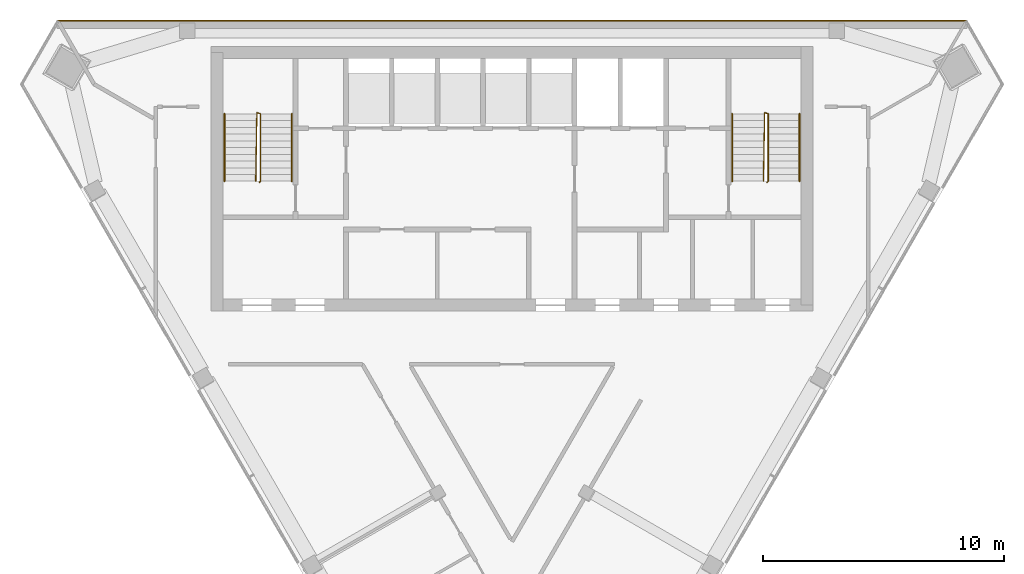
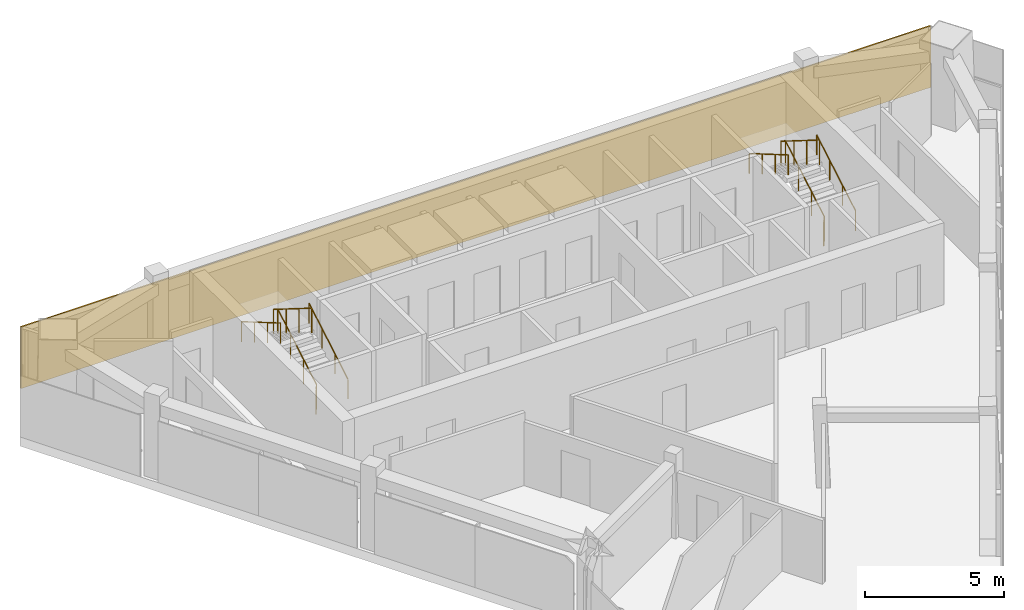
# One storey, part 8 of 9: 6 railings, 1 covering.
"""IFC4 building model written with IfcOpenShell, lengths in metres."""

from ifc_helpers import new_model, si_unit, direction, frame, frame_2d, origin, origin_2d, place, context, subcontext, project, spatial, rectangle, circle, extrude, material, layer, layer_set, type_object, element, save


model = new_model("IFC4")

# Units and contexts
model_context = context("Model", 3, precision=1e-05, world=origin(), true_north=direction((0.0, 1.0)))
body_context = subcontext(model_context, "Body", "Model", "MODEL_VIEW")
ifc_project = project(units=[si_unit("LENGTHUNIT", "METRE"), si_unit("AREAUNIT", "SQUARE_METRE"), si_unit("VOLUMEUNIT", "CUBIC_METRE"), si_unit("PLANEANGLEUNIT", "RADIAN"), si_unit("MASSUNIT", "GRAM", prefix="KILO")], contexts=[model_context])

# Site, building, storey
site_placement = place(None, origin())
site = spatial("IfcSite", under=ifc_project, at=site_placement, CompositionType="ELEMENT")
building_placement = place(site_placement, origin())
building = spatial("IfcBuilding", under=site, at=building_placement, Name="Altiplano Prism Tower", CompositionType="ELEMENT")
storey_placement = place(building_placement, frame((0.0, 0.0, 350.800048828125)))
storey = spatial("IfcBuildingStorey", under=building, at=storey_placement, Name="L91", CompositionType="ELEMENT", Elevation=350.800048828125)

# Railings
ifc_material_1 = material(Name="Steel S355", Category="steel")
railing_type_1 = type_object("IfcRailingType", Name="Stair guard 1100", PredefinedType="GUARDRAIL", material=ifc_material_1)
railing_1_placement = place(storey_placement, frame((74.5, 98.25, 0.0)))
element("IfcRailing", 1, at=railing_1_placement, inside=storey, type_object=railing_type_1, Name="L91 ST1 stair guard 1", PredefinedType="GUARDRAIL", context=body_context, shape_type="SweptSolid", body=[
    extrude(circle(Radius=0.02392578125, at=origin_2d()), frame((0.0, 0.0, 1.076171875), z_axis=(0.280808744504, 0.280808744504, 0.917765164963), x_axis=(-0.707106781187, 0.707106781187, 0.0)), (0.0, 0.0, 1.0), 0.17822265625),
    extrude(circle(Radius=0.02392578125, at=origin_2d()), frame((0.050048828125, 0.050048828125, 1.23974609375), z_axis=(0.0, 0.863360870873, 0.504586966384), x_axis=(-1.0, 0.0, 0.0)), (0.0, 0.0, 1.0), 3.2431640625),
    extrude(circle(Radius=0.02392578125, at=origin_2d()), frame((0.050048828125, 2.85009765625, 2.8759765625), z_axis=(-0.949145278916, 0.314838433982, 0.0), x_axis=(-0.314838433982, -0.949145278916, 0.0)), (0.0, 0.0, 1.0), 0.158203125),
    extrude(circle(Radius=0.02392578125, at=origin_2d()), frame((-0.10009765625, 2.89990234375, 2.8759765625), z_axis=(-0.014774583964, -0.845410385345, 0.533912906773), x_axis=(0.999847325713, -0.01747355902, 0.0)), (0.0, 0.0, 1.0), 3.370849609375),
    extrude(circle(Radius=0.02099609375, at=origin_2d()), origin(), (0.0, 0.0, 1.0), 1.052001953125),
    extrude(circle(Radius=0.02099609375, at=origin_2d()), frame((0.050048828125, 0.050048828125, 0.16357421875)), (0.0, 0.0, 1.0), 1.052001953125),
    extrude(circle(Radius=0.02099609375, at=origin_2d()), frame((0.050048828125, 0.9833984375, 0.708984375)), (0.0, 0.0, 1.0), 1.052001953125),
    extrude(circle(Radius=0.02099609375, at=origin_2d()), frame((0.050048828125, 1.916748046875, 1.254638671875)), (0.0, 0.0, 1.0), 1.052001953125),
    extrude(circle(Radius=0.02099609375, at=origin_2d()), frame((0.050048828125, 2.85009765625, 1.800048828125)), (0.0, 0.0, 1.0), 1.052001953125),
    extrude(circle(Radius=0.02099609375, at=origin_2d()), frame((-0.10009765625, 2.89990234375, 1.800048828125)), (0.0, 0.0, 1.0), 1.052001953125),
    extrude(circle(Radius=0.02099609375, at=origin_2d()), frame((-0.11669921875, 1.949951171875, 2.39990234375)), (0.0, 0.0, 1.0), 1.052001953125),
    extrude(circle(Radius=0.02099609375, at=origin_2d()), frame((-0.13330078125, 1.0, 3.0)), (0.0, 0.0, 1.0), 1.052001953125),
    extrude(circle(Radius=0.02099609375, at=origin_2d()), frame((-0.14990234375, 0.050048828125, 3.599853515625)), (0.0, 0.0, 1.0), 1.052001953125),
])
railing_2_placement = place(storey_placement, frame((95.60009765625, 98.25, 0.0)))
element("IfcRailing", 2, at=railing_2_placement, inside=storey, type_object=railing_type_1, Name="L91 ST2 stair guard 1", PredefinedType="GUARDRAIL", context=body_context, shape_type="SweptSolid", body=[
    extrude(circle(Radius=0.02392578125, at=origin_2d()), frame((0.0, 0.0, 1.076171875), z_axis=(0.279546231943, 0.280916556609, 0.91811752648), x_axis=(-0.708833529934, 0.705375805398, 0.0)), (0.0, 0.0, 1.0), 0.17822265625),
    extrude(circle(Radius=0.02392578125, at=origin_2d()), frame((0.0498046875, 0.050048828125, 1.23974609375), z_axis=(0.0, 0.863360870873, 0.504586966384), x_axis=(-1.0, 0.0, 0.0)), (0.0, 0.0, 1.0), 3.2431640625),
    extrude(circle(Radius=0.02392578125, at=origin_2d()), frame((0.0498046875, 2.85009765625, 2.8759765625), z_axis=(-0.948991962702, 0.315300261223, 0.0), x_axis=(-0.315300261223, -0.948991962702, 0.0)), (0.0, 0.0, 1.0), 0.157958984375),
    extrude(circle(Radius=0.02392578125, at=origin_2d()), frame((-0.10009765625, 2.89990234375, 2.8759765625), z_axis=(-0.014846992469, -0.845409478506, 0.533912334065), x_axis=(0.999845825584, -0.017559187376, 0.0)), (0.0, 0.0, 1.0), 3.37109375),
    extrude(circle(Radius=0.02099609375, at=origin_2d()), origin(), (0.0, 0.0, 1.0), 1.052001953125),
    extrude(circle(Radius=0.02099609375, at=origin_2d()), frame((0.0498046875, 0.050048828125, 0.16357421875)), (0.0, 0.0, 1.0), 1.052001953125),
    extrude(circle(Radius=0.02099609375, at=origin_2d()), frame((0.0498046875, 0.9833984375, 0.708984375)), (0.0, 0.0, 1.0), 1.052001953125),
    extrude(circle(Radius=0.02099609375, at=origin_2d()), frame((0.0498046875, 1.916748046875, 1.254638671875)), (0.0, 0.0, 1.0), 1.052001953125),
    extrude(circle(Radius=0.02099609375, at=origin_2d()), frame((0.0498046875, 2.85009765625, 1.800048828125)), (0.0, 0.0, 1.0), 1.052001953125),
    extrude(circle(Radius=0.02099609375, at=origin_2d()), frame((-0.10009765625, 2.89990234375, 1.800048828125)), (0.0, 0.0, 1.0), 1.052001953125),
    extrude(circle(Radius=0.02099609375, at=origin_2d()), frame((-0.11669921875, 1.949951171875, 2.39990234375)), (0.0, 0.0, 1.0), 1.052001953125),
    extrude(circle(Radius=0.02099609375, at=origin_2d()), frame((-0.133544921875, 1.0, 3.0)), (0.0, 0.0, 1.0), 1.052001953125),
    extrude(circle(Radius=0.02099609375, at=origin_2d()), frame((-0.150146484375, 0.050048828125, 3.599853515625)), (0.0, 0.0, 1.0), 1.052001953125),
])
railing_type_2 = type_object("IfcRailingType", Name="Stair handrail 900", PredefinedType="HANDRAIL", material=ifc_material_1)
railing_3_placement = place(storey_placement, frame((75.85009765625, 98.300048828125, 0.16357421875)))
element("IfcRailing", 3, at=railing_3_placement, inside=storey, type_object=railing_type_2, Name="L91 ST1 stair handrail 1", PredefinedType="HANDRAIL", context=body_context, shape_type="SweptSolid", body=[
    extrude(circle(Radius=0.02392578125, at=origin_2d()), frame((0.0, 0.0, 0.8759765625), z_axis=(0.0, 0.863360870873, 0.504586966384), x_axis=(-1.0, 0.0, 0.0)), (0.0, 0.0, 1.0), 3.2431640625),
    extrude(circle(Radius=0.02099609375, at=origin_2d()), origin(), (0.0, 0.0, 1.0), 0.851806640625),
    extrude(circle(Radius=0.02099609375, at=origin_2d()), frame((0.0, 0.933349609375, 0.54541015625)), (0.0, 0.0, 1.0), 0.851806640625),
    extrude(circle(Radius=0.02099609375, at=origin_2d()), frame((0.0, 1.86669921875, 1.091064453125)), (0.0, 0.0, 1.0), 0.851806640625),
    extrude(circle(Radius=0.02099609375, at=origin_2d()), frame((0.0, 2.800048828125, 1.636474609375)), (0.0, 0.0, 1.0), 0.851806640625),
])
railing_4_placement = place(storey_placement, frame((73.050048828125, 101.10009765625, 1.963623046875)))
element("IfcRailing", 4, at=railing_4_placement, inside=storey, type_object=railing_type_2, Name="L91 ST1 stair handrail 2", PredefinedType="HANDRAIL", context=body_context, shape_type="SweptSolid", body=[
    extrude(circle(Radius=0.02392578125, at=origin_2d()), frame((0.0, 0.0, 0.8759765625), z_axis=(0.0, -0.863393664356, 0.504530851732), x_axis=(1.0, 0.0, 0.0)), (0.0, 0.0, 1.0), 3.2431640625),
    extrude(circle(Radius=0.02099609375, at=origin_2d()), origin(), (0.0, 0.0, 1.0), 0.851806640625),
    extrude(circle(Radius=0.02099609375, at=origin_2d()), frame((0.0, -0.933349609375, 0.54541015625)), (0.0, 0.0, 1.0), 0.851806640625),
    extrude(circle(Radius=0.02099609375, at=origin_2d()), frame((0.0, -1.86669921875, 1.0908203125)), (0.0, 0.0, 1.0), 0.851806640625),
    extrude(circle(Radius=0.02099609375, at=origin_2d()), frame((0.0, -2.800048828125, 1.63623046875)), (0.0, 0.0, 1.0), 0.851806640625),
])
railing_5_placement = place(storey_placement, frame((96.949951171875, 98.300048828125, 0.16357421875)))
element("IfcRailing", 5, at=railing_5_placement, inside=storey, type_object=railing_type_2, Name="L91 ST2 stair handrail 1", PredefinedType="HANDRAIL", context=body_context, shape_type="SweptSolid", body=[
    extrude(circle(Radius=0.02392578125, at=origin_2d()), frame((0.0, 0.0, 0.8759765625), z_axis=(0.0, 0.863360870873, 0.504586966384), x_axis=(-1.0, 0.0, 0.0)), (0.0, 0.0, 1.0), 3.2431640625),
    extrude(circle(Radius=0.02099609375, at=origin_2d()), origin(), (0.0, 0.0, 1.0), 0.851806640625),
    extrude(circle(Radius=0.02099609375, at=origin_2d()), frame((0.0, 0.933349609375, 0.54541015625)), (0.0, 0.0, 1.0), 0.851806640625),
    extrude(circle(Radius=0.02099609375, at=origin_2d()), frame((0.0, 1.86669921875, 1.091064453125)), (0.0, 0.0, 1.0), 0.851806640625),
    extrude(circle(Radius=0.02099609375, at=origin_2d()), frame((0.0, 2.800048828125, 1.636474609375)), (0.0, 0.0, 1.0), 0.851806640625),
])
railing_6_placement = place(storey_placement, frame((94.14990234375, 101.10009765625, 1.963623046875)))
element("IfcRailing", 6, at=railing_6_placement, inside=storey, type_object=railing_type_2, Name="L91 ST2 stair handrail 2", PredefinedType="HANDRAIL", context=body_context, shape_type="SweptSolid", body=[
    extrude(circle(Radius=0.02392578125, at=origin_2d()), frame((0.0, 0.0, 0.8759765625), z_axis=(0.0, -0.863393664356, 0.504530851732), x_axis=(1.0, 0.0, 0.0)), (0.0, 0.0, 1.0), 3.2431640625),
    extrude(circle(Radius=0.02099609375, at=origin_2d()), origin(), (0.0, 0.0, 1.0), 0.851806640625),
    extrude(circle(Radius=0.02099609375, at=origin_2d()), frame((0.0, -0.933349609375, 0.54541015625)), (0.0, 0.0, 1.0), 0.851806640625),
    extrude(circle(Radius=0.02099609375, at=origin_2d()), frame((0.0, -1.86669921875, 1.0908203125)), (0.0, 0.0, 1.0), 0.851806640625),
    extrude(circle(Radius=0.02099609375, at=origin_2d()), frame((0.0, -2.800048828125, 1.63623046875)), (0.0, 0.0, 1.0), 0.851806640625),
])

# Covering
ifc_material_2 = material(Name="Warm limestone cast stone", Category="masonry")
ifc_layer = layer(ifc_material_2, 0.06005859375)
ifc_layer_set = layer_set([ifc_layer], Name="Warm limestone cast stone")
covering_type = type_object("IfcCoveringType", Name="Stone cladding 60", PredefinedType="CLADDING", material=ifc_layer_set)
covering_placement = place(storey_placement, frame((66.09326171875, 104.969970703125, 0.0), z_axis=(0.0, 0.0, 1.0), x_axis=(1.0, 0.0, 0.0)))
element("IfcCovering", 7, at=covering_placement, inside=storey, type_object=covering_type, Name="Stone cladding north face L91", PredefinedType="CLADDING", context=body_context, shape_type="SweptSolid", body=[
    extrude(rectangle(XDim=37.8134765625, YDim=0.06005859375, at=frame_2d((18.90673828125, 0.0))), origin(), (0.0, 0.0, 1.0), 2.699951171875),
])

save(model, "model.ifc")
